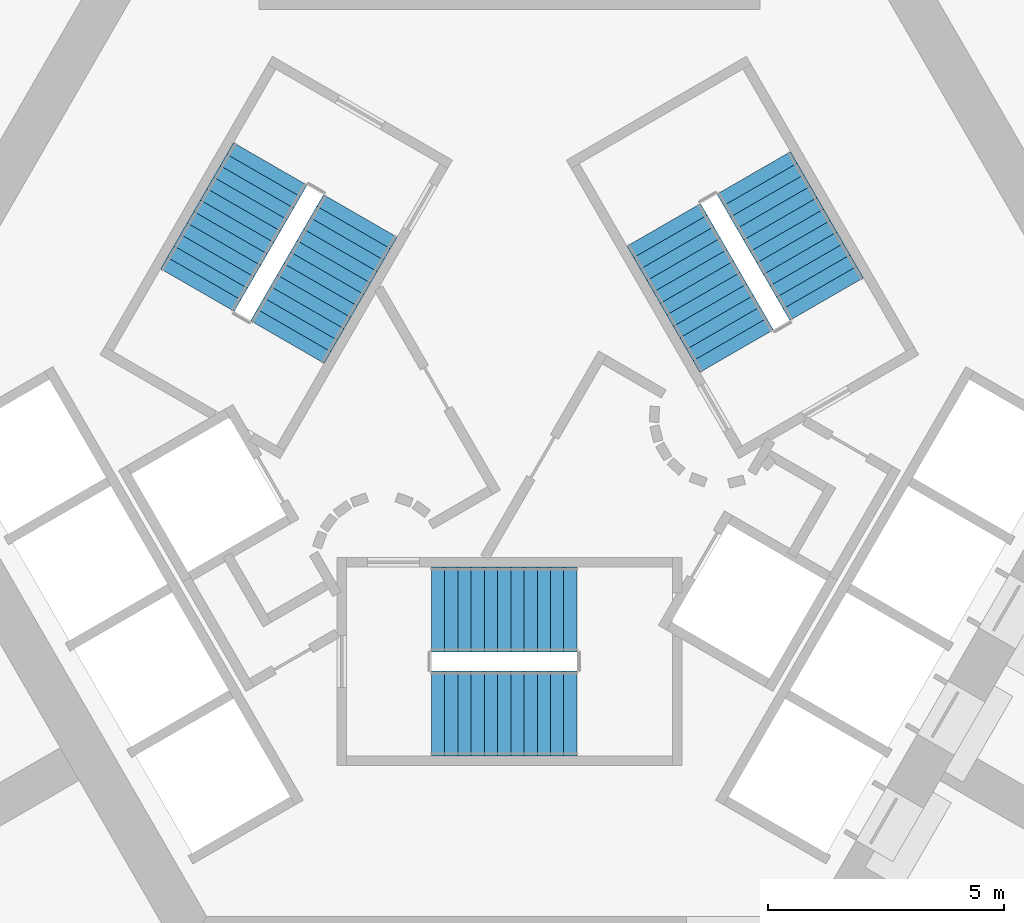
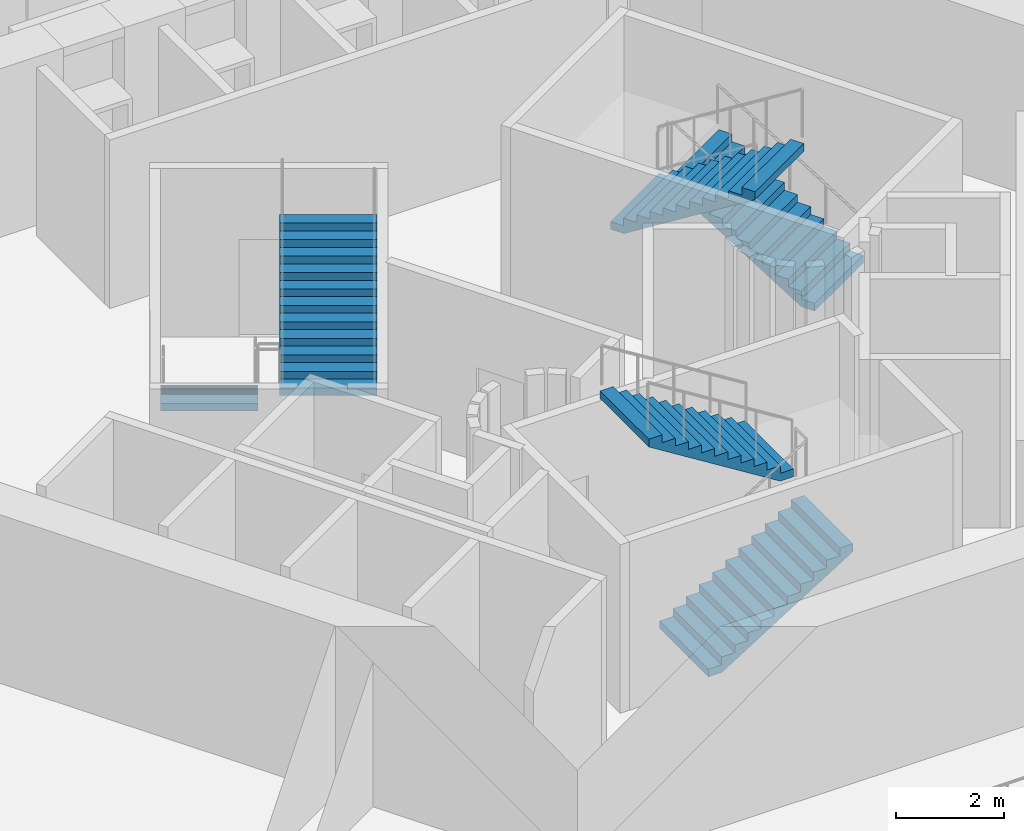
# One storey, part 12 of 13: 6 stair flights, 3 elements without a shape of their own.
"""IFC4 building model written with IfcOpenShell, lengths in metres."""

from ifc_helpers import new_model, si_unit, direction, frame, origin, place, context, subcontext, project, spatial, polyline, outline, extrude, material, type_object, element, aggregate, save


model = new_model("IFC4")

# Units and contexts
model_context = context("Model", 3, precision=1e-05, world=origin(), true_north=direction((0.0, 1.0)))
body_context = subcontext(model_context, "Body", "Model", "MODEL_VIEW")
ifc_project = project(units=[si_unit("LENGTHUNIT", "METRE"), si_unit("AREAUNIT", "SQUARE_METRE"), si_unit("VOLUMEUNIT", "CUBIC_METRE"), si_unit("PLANEANGLEUNIT", "RADIAN"), si_unit("MASSUNIT", "GRAM", prefix="KILO")], contexts=[model_context])

# Site, building, storey
site_placement = place(None, origin())
site = spatial("IfcSite", under=ifc_project, at=site_placement, CompositionType="ELEMENT")
building_placement = place(site_placement, origin())
building = spatial("IfcBuilding", under=site, at=building_placement, Name="Entoto Arch Interchange Tower", CompositionType="ELEMENT")
storey_placement = place(building_placement, frame((0.0, 0.0, 90.800048828125)))
storey = spatial("IfcBuildingStorey", under=building, at=storey_placement, Name="L19", CompositionType="ELEMENT", Elevation=90.800048828125)

# Stair, stair flights
ifc_material = material(Name="Concrete C40/50", Category="concrete")
stair_type = type_object("IfcStairType", Name="EXIT STAIR RC 1800", PredefinedType="HALF_TURN_STAIR", material=ifc_material)
stair_1_placement = place(storey_placement, origin())
stair_1 = element("IfcStair", 1, at=stair_1_placement, inside=storey, type_object=stair_type, Name="L19 Exit stair S", PredefinedType="HALF_TURN_STAIR")
stair_flight_type = type_object("IfcStairFlightType", Name="EXIT STAIR FLIGHT RC 1800", PredefinedType="STRAIGHT", material=ifc_material)
stair_flight_1_placement = place(storey_placement, frame((-1.64990234375, -4.300048828125, 0.0), z_axis=(0.0, 0.0, 1.0), x_axis=(1.0, 0.0, 0.0)))
stair_flight_1 = element("IfcStairFlight", 2, at=stair_flight_1_placement, type_object=stair_flight_type, Name="ST-S flight 1", NumberOfRisers=12, NumberOfTreads=11, PredefinedType="STRAIGHT", RiserHeight=0.175, TreadLength=0.28, context=body_context, shape_type="SweptSolid", body=[
    extrude(outline(polyline([(-0.0029296875, 0.0), (-0.0029296875, 0.175048828125), (0.280029296875, 0.175048828125), (0.280029296875, 0.35009765625), (0.56005859375, 0.35009765625), (0.56005859375, 0.52490234375), (0.840087890625, 0.52490234375), (0.840087890625, 0.699951171875), (1.1201171875, 0.699951171875), (1.1201171875, 0.875), (1.39990234375, 0.875), (1.39990234375, 1.050048828125), (1.679931640625, 1.050048828125), (1.679931640625, 1.22509765625), (1.9599609375, 1.22509765625), (1.9599609375, 1.39990234375), (2.239990234375, 1.39990234375), (2.239990234375, 1.574951171875), (2.52001953125, 1.574951171875), (2.52001953125, 1.75), (2.800048828125, 1.75), (2.800048828125, 1.925048828125), (3.080078125, 1.925048828125), (3.0830078125, 1.925048828125), (3.0830078125, 1.75), (0.28271484375, 0.0), (-0.0029296875, 0.0)])), frame((0.0, 0.89990234375, 0.0), z_axis=(0.0, -1.0, 0.0), x_axis=(1.0, 0.0, 0.0)), (0.0, 0.0, 1.0), 1.800048828125),
])
stair_flight_2_placement = place(storey_placement, frame((1.429931640625, -2.10009765625, 2.099853515625), z_axis=(0.0, 0.0, 1.0), x_axis=(-1.0, 0.0, 0.0)))
stair_flight_2 = element("IfcStairFlight", 3, at=stair_flight_2_placement, type_object=stair_flight_type, Name="ST-S flight 2", NumberOfRisers=12, NumberOfTreads=11, PredefinedType="STRAIGHT", RiserHeight=0.175, TreadLength=0.28, context=body_context, shape_type="SweptSolid", body=[
    extrude(outline(polyline([(-0.0029296875, 0.0), (-0.0029296875, 0.175048828125), (0.280029296875, 0.175048828125), (0.280029296875, 0.35009765625), (0.56005859375, 0.35009765625), (0.56005859375, 0.52490234375), (0.840087890625, 0.52490234375), (0.840087890625, 0.699951171875), (1.1201171875, 0.699951171875), (1.1201171875, 0.875), (1.39990234375, 0.875), (1.39990234375, 1.050048828125), (1.679931640625, 1.050048828125), (1.679931640625, 1.22509765625), (1.9599609375, 1.22509765625), (1.9599609375, 1.39990234375), (2.239990234375, 1.39990234375), (2.239990234375, 1.574951171875), (2.52001953125, 1.574951171875), (2.52001953125, 1.75), (2.800048828125, 1.75), (2.800048828125, 1.925048828125), (3.080078125, 1.925048828125), (3.0830078125, 1.925048828125), (3.0830078125, 1.75), (0.28271484375, 0.0), (-0.0029296875, 0.0)])), frame((0.0, 0.89990234375, 0.0), z_axis=(0.0, -1.0, 0.0), x_axis=(1.0, 0.0, 0.0)), (0.0, 0.0, 1.0), 1.800048828125),
])
aggregate(stair_1, [stair_flight_1, stair_flight_2])

stair_2_placement = place(storey_placement, origin())
stair_2 = element("IfcStair", 4, at=stair_2_placement, inside=storey, type_object=stair_type, Name="L19 Exit stair NE", PredefinedType="HALF_TURN_STAIR")
stair_flight_3_placement = place(storey_placement, frame((6.7138671875, 4.470947265625, 0.0), z_axis=(0.0, 0.0, 1.0), x_axis=(-0.5, 0.866025403784, 0.0)))
stair_flight_3 = element("IfcStairFlight", 5, at=stair_flight_3_placement, type_object=stair_flight_type, Name="ST-NE flight 1", NumberOfRisers=12, NumberOfTreads=11, PredefinedType="STRAIGHT", RiserHeight=0.175, TreadLength=0.28, context=body_context, shape_type="SweptSolid", body=[
    extrude(outline(polyline([(-0.0029296875, 0.0), (-0.0029296875, 0.175048828125), (0.280029296875, 0.175048828125), (0.280029296875, 0.35009765625), (0.56005859375, 0.35009765625), (0.56005859375, 0.52490234375), (0.840087890625, 0.52490234375), (0.840087890625, 0.699951171875), (1.1201171875, 0.699951171875), (1.1201171875, 0.875), (1.39990234375, 0.875), (1.39990234375, 1.050048828125), (1.679931640625, 1.050048828125), (1.679931640625, 1.22509765625), (1.9599609375, 1.22509765625), (1.9599609375, 1.39990234375), (2.239990234375, 1.39990234375), (2.239990234375, 1.574951171875), (2.52001953125, 1.574951171875), (2.52001953125, 1.75), (2.800048828125, 1.75), (2.800048828125, 1.925048828125), (3.080078125, 1.925048828125), (3.0830078125, 1.925048828125), (3.0830078125, 1.75), (0.28271484375, 0.0), (-0.0029296875, 0.0)])), frame((0.0, 0.89990234375, 0.0), z_axis=(0.0, -1.0, 0.0), x_axis=(1.0, 0.0, 0.0)), (0.0, 0.0, 1.0), 1.800048828125),
])
stair_flight_4_placement = place(storey_placement, frame((3.268798828125, 6.038330078125, 2.099853515625), z_axis=(0.0, 0.0, 1.0), x_axis=(0.5, -0.866025403784, 0.0)))
stair_flight_4 = element("IfcStairFlight", 6, at=stair_flight_4_placement, type_object=stair_flight_type, Name="ST-NE flight 2", NumberOfRisers=12, NumberOfTreads=11, PredefinedType="STRAIGHT", RiserHeight=0.175, TreadLength=0.28, context=body_context, shape_type="SweptSolid", body=[
    extrude(outline(polyline([(-0.0029296875, 0.0), (-0.0029296875, 0.175048828125), (0.280029296875, 0.175048828125), (0.280029296875, 0.35009765625), (0.56005859375, 0.35009765625), (0.56005859375, 0.52490234375), (0.840087890625, 0.52490234375), (0.840087890625, 0.699951171875), (1.1201171875, 0.699951171875), (1.1201171875, 0.875), (1.39990234375, 0.875), (1.39990234375, 1.050048828125), (1.679931640625, 1.050048828125), (1.679931640625, 1.22509765625), (1.9599609375, 1.22509765625), (1.9599609375, 1.39990234375), (2.239990234375, 1.39990234375), (2.239990234375, 1.574951171875), (2.52001953125, 1.574951171875), (2.52001953125, 1.75), (2.800048828125, 1.75), (2.800048828125, 1.925048828125), (3.080078125, 1.925048828125), (3.0830078125, 1.925048828125), (3.0830078125, 1.75), (0.28271484375, 0.0), (-0.0029296875, 0.0)])), frame((0.0, 0.89990234375, 0.0), z_axis=(0.0, -1.0, 0.0), x_axis=(1.0, 0.0, 0.0)), (0.0, 0.0, 1.0), 1.800048828125),
])
aggregate(stair_2, [stair_flight_3, stair_flight_4])

stair_3_placement = place(storey_placement, origin())
stair_3 = element("IfcStair", 7, at=stair_3_placement, inside=storey, type_object=stair_type, Name="L19 Exit stair NW", PredefinedType="HALF_TURN_STAIR")
stair_flight_5_placement = place(storey_placement, frame((-5.06396484375, 7.328857421875, 0.0), z_axis=(0.0, 0.0, 1.0), x_axis=(-0.5, -0.866025403784, 0.0)))
stair_flight_5 = element("IfcStairFlight", 8, at=stair_flight_5_placement, type_object=stair_flight_type, Name="ST-NW flight 1", NumberOfRisers=12, NumberOfTreads=11, PredefinedType="STRAIGHT", RiserHeight=0.175, TreadLength=0.28, context=body_context, shape_type="SweptSolid", body=[
    extrude(outline(polyline([(-0.0029296875, 0.0), (-0.0029296875, 0.175048828125), (0.280029296875, 0.175048828125), (0.280029296875, 0.35009765625), (0.56005859375, 0.35009765625), (0.56005859375, 0.52490234375), (0.840087890625, 0.52490234375), (0.840087890625, 0.699951171875), (1.1201171875, 0.699951171875), (1.1201171875, 0.875), (1.39990234375, 0.875), (1.39990234375, 1.050048828125), (1.679931640625, 1.050048828125), (1.679931640625, 1.22509765625), (1.9599609375, 1.22509765625), (1.9599609375, 1.39990234375), (2.239990234375, 1.39990234375), (2.239990234375, 1.574951171875), (2.52001953125, 1.574951171875), (2.52001953125, 1.75), (2.800048828125, 1.75), (2.800048828125, 1.925048828125), (3.080078125, 1.925048828125), (3.0830078125, 1.925048828125), (3.0830078125, 1.75), (0.28271484375, 0.0), (-0.0029296875, 0.0)])), frame((0.0, 0.89990234375, 0.0), z_axis=(0.0, -1.0, 0.0), x_axis=(1.0, 0.0, 0.0)), (0.0, 0.0, 1.0), 1.800048828125),
])
stair_flight_6_placement = place(storey_placement, frame((-4.69873046875, 3.5615234375, 2.099853515625), z_axis=(0.0, 0.0, 1.0), x_axis=(0.5, 0.866025403784, 0.0)))
stair_flight_6 = element("IfcStairFlight", 9, at=stair_flight_6_placement, type_object=stair_flight_type, Name="ST-NW flight 2", NumberOfRisers=12, NumberOfTreads=11, PredefinedType="STRAIGHT", RiserHeight=0.175, TreadLength=0.28, context=body_context, shape_type="SweptSolid", body=[
    extrude(outline(polyline([(-0.0029296875, 0.0), (-0.0029296875, 0.175048828125), (0.280029296875, 0.175048828125), (0.280029296875, 0.35009765625), (0.56005859375, 0.35009765625), (0.56005859375, 0.52490234375), (0.840087890625, 0.52490234375), (0.840087890625, 0.699951171875), (1.1201171875, 0.699951171875), (1.1201171875, 0.875), (1.39990234375, 0.875), (1.39990234375, 1.050048828125), (1.679931640625, 1.050048828125), (1.679931640625, 1.22509765625), (1.9599609375, 1.22509765625), (1.9599609375, 1.39990234375), (2.239990234375, 1.39990234375), (2.239990234375, 1.574951171875), (2.52001953125, 1.574951171875), (2.52001953125, 1.75), (2.800048828125, 1.75), (2.800048828125, 1.925048828125), (3.080078125, 1.925048828125), (3.0830078125, 1.925048828125), (3.0830078125, 1.75), (0.28271484375, 0.0), (-0.0029296875, 0.0)])), frame((0.0, 0.89990234375, 0.0), z_axis=(0.0, -1.0, 0.0), x_axis=(1.0, 0.0, 0.0)), (0.0, 0.0, 1.0), 1.800048828125),
])
aggregate(stair_3, [stair_flight_5, stair_flight_6])

save(model, "model.ifc")
